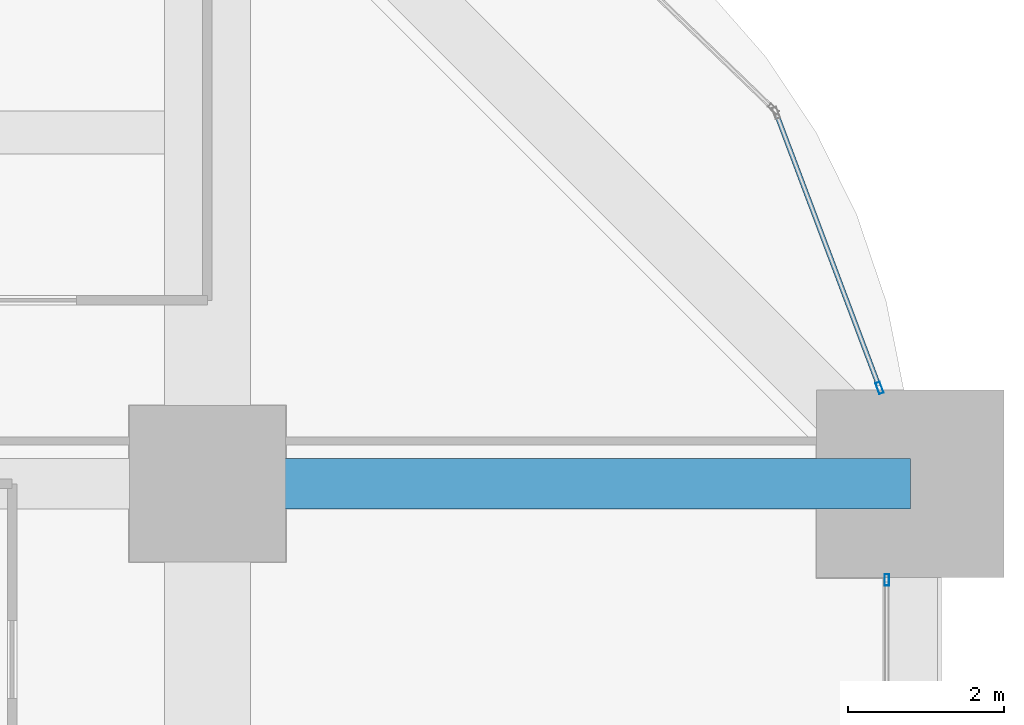
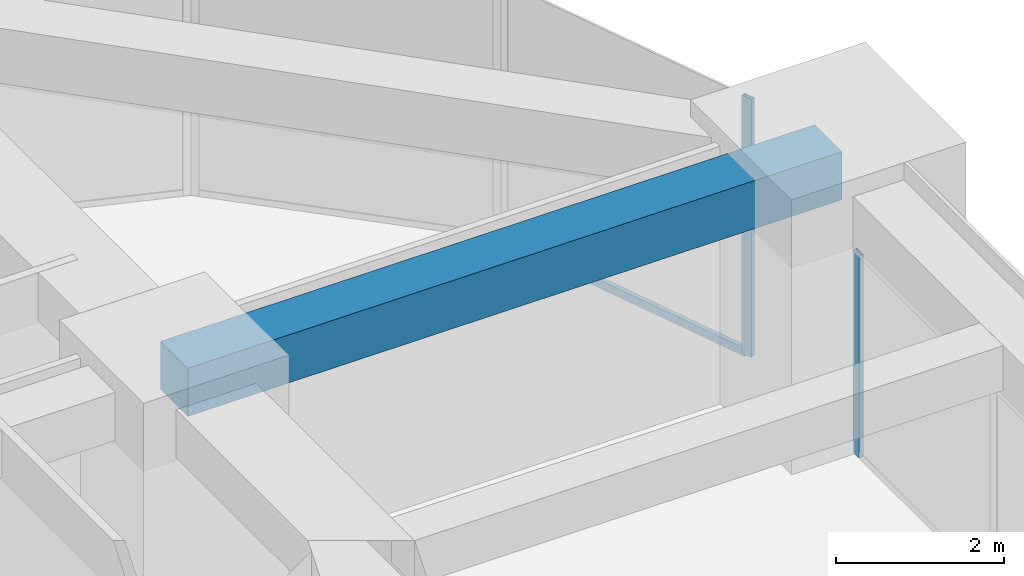
# One storey, part 32 of 40: 3 members, 1 beam, 2 elements without a shape of their own.
"""IFC4 building model written with IfcOpenShell, lengths in metres."""

from ifc_helpers import new_model, si_unit, direction, frame, origin, origin_2d, place, context, subcontext, project, spatial, rectangle, hollow_rectangle, extrude, material, material_profile, profile_set, type_object, element, aggregate, save


model = new_model("IFC4")

# Units and contexts
model_context = context("Model", 3, precision=1e-05, world=origin(), true_north=direction((0.0, 1.0)))
body_context = subcontext(model_context, "Body", "Model", "MODEL_VIEW")
ifc_project = project(units=[si_unit("LENGTHUNIT", "METRE"), si_unit("AREAUNIT", "SQUARE_METRE"), si_unit("VOLUMEUNIT", "CUBIC_METRE"), si_unit("PLANEANGLEUNIT", "RADIAN"), si_unit("MASSUNIT", "GRAM", prefix="KILO")], contexts=[model_context])

# Site, building, storey
site_placement = place(None, origin())
site = spatial("IfcSite", under=ifc_project, at=site_placement, CompositionType="ELEMENT")
building_placement = place(site_placement, origin())
building = spatial("IfcBuilding", under=site, at=building_placement, Name="Zorevar Civic Tower", CompositionType="ELEMENT")
storey_placement = place(building_placement, frame((0.0, 0.0, 93.0)))
storey = spatial("IfcBuildingStorey", under=building, at=storey_placement, Name="L22", CompositionType="ELEMENT", Elevation=93.0)

# Beam
ifc_material_1 = material(Name="Concrete C50/60", Category="concrete")
ifc_material_profile_1 = material_profile(ifc_material_1, rectangle(XDim=0.64990234375, YDim=0.699951171875, at=origin_2d()), Name="RC 650x700")
ifc_profile_set_1 = profile_set([ifc_material_profile_1], Name="Concrete C50/60")
beam_type = type_object("IfcBeamType", Name="Beam RC 650x700", PredefinedType="BEAM", material=ifc_profile_set_1)
beam_placement = place(storey_placement, frame((54.0, 36.0, 3.39990234375), z_axis=(1.0, 0.0, 0.0), x_axis=(0.0, 1.0, 0.0)))
element("IfcBeam", 1, at=beam_placement, inside=storey, type_object=beam_type, Name="Girder L23", PredefinedType="BEAM", context=body_context, shape_type="SweptSolid", body=[
    extrude(rectangle(XDim=0.64990234375, YDim=0.699951171875, at=origin_2d()), origin(), (0.0, 0.0, 1.0), 9.0),
])

# Curtain wall, member
ifc_material_2 = material(Name="Dark grey solar-control glass in black aluminium frame", Category="aluminium")
curtain_wall_type = type_object("IfcCurtainWallType", Name="Curtain wall CW3 mid zone", PredefinedType="NOTDEFINED", material=ifc_material_2)
curtain_wall_1_placement = place(storey_placement, origin())
curtain_wall_1 = element("IfcCurtainWall", 2, at=curtain_wall_1_placement, inside=storey, type_object=curtain_wall_type, Name="CW3 L22", PredefinedType="NOTDEFINED")
ifc_material_3 = material(Name="Aluminium, black anodised", Category="aluminium")
ifc_material_profile_2 = material_profile(ifc_material_3, hollow_rectangle(XDim=0.06005859375, YDim=0.14990234375, WallThickness=0.00390625, at=origin_2d()), Name="AL 150x60x4")
ifc_profile_set_2 = profile_set([ifc_material_profile_2], Name="Aluminium, black anodised")
member_type_1 = type_object("IfcMemberType", Name="CW3 mullion AL 150x60x4", PredefinedType="MULLION", material=ifc_profile_set_2)
member_1_placement = place(storey_placement, frame((62.699951171875, 34.77001953125, 0.0), z_axis=(0.0, 0.0, 1.0), x_axis=(-1.0, 0.0, 0.0)))
member_1 = element("IfcMember", 3, at=member_1_placement, type_object=member_type_1, Name="CW3 mullion 3", PredefinedType="MULLION", context=body_context, shape_type="SweptSolid", body=[
    extrude(hollow_rectangle(XDim=0.06005859375, YDim=0.14990234375, WallThickness=0.00390625, at=origin_2d()), origin(), (0.0, 0.0, 1.0), 2.949951171875),
])
aggregate(curtain_wall_1, [member_1])

# Curtain wall, members
curtain_wall_2_placement = place(storey_placement, origin())
curtain_wall_2 = element("IfcCurtainWall", 4, at=curtain_wall_2_placement, inside=storey, type_object=curtain_wall_type, Name="CW3 L22", PredefinedType="NOTDEFINED")
member_2_placement = place(storey_placement, frame((62.606201171875, 37.22802734375, 0.0), z_axis=(0.0, 0.0, 1.0), x_axis=(-0.935950528564, -0.352131520999, 0.0)))
member_2 = element("IfcMember", 5, at=member_2_placement, type_object=member_type_1, Name="CW3 mullion 1", PredefinedType="MULLION", context=body_context, shape_type="SweptSolid", body=[
    extrude(hollow_rectangle(XDim=0.06005859375, YDim=0.14990234375, WallThickness=0.00390625, at=origin_2d()), origin(), (0.0, 0.0, 1.0), 3.75),
])
ifc_material_4 = material(Name="Aluminium, black anodised", Category="aluminium")
ifc_material_profile_3 = material_profile(ifc_material_4, hollow_rectangle(XDim=0.06005859375, YDim=0.1201171875, WallThickness=0.0029296875, at=origin_2d()), Name="AL 120x60x3")
ifc_profile_set_3 = profile_set([ifc_material_profile_3], Name="Aluminium, black anodised")
member_type_2 = type_object("IfcMemberType", Name="CW3 transom AL 120x60x3", PredefinedType="USERDEFINED", material=ifc_profile_set_3)
member_3_placement = place(storey_placement, frame((62.595703125, 37.256103515625, 0.030029296875), z_axis=(-0.352142207579, 0.935946507895, 0.0), x_axis=(-0.935946507895, -0.352142207579, 0.0)))
member_3 = element("IfcMember", 6, at=member_3_placement, type_object=member_type_2, Name="CW3 sill transom", ObjectType="TRANSOM", PredefinedType="USERDEFINED", context=body_context, shape_type="SweptSolid", body=[
    extrude(hollow_rectangle(XDim=0.06005859375, YDim=0.1201171875, WallThickness=0.0029296875, at=origin_2d()), origin(), (0.0, 0.0, 1.0), 3.7021484375),
])
aggregate(curtain_wall_2, [member_2, member_3])

save(model, "model.ifc")
